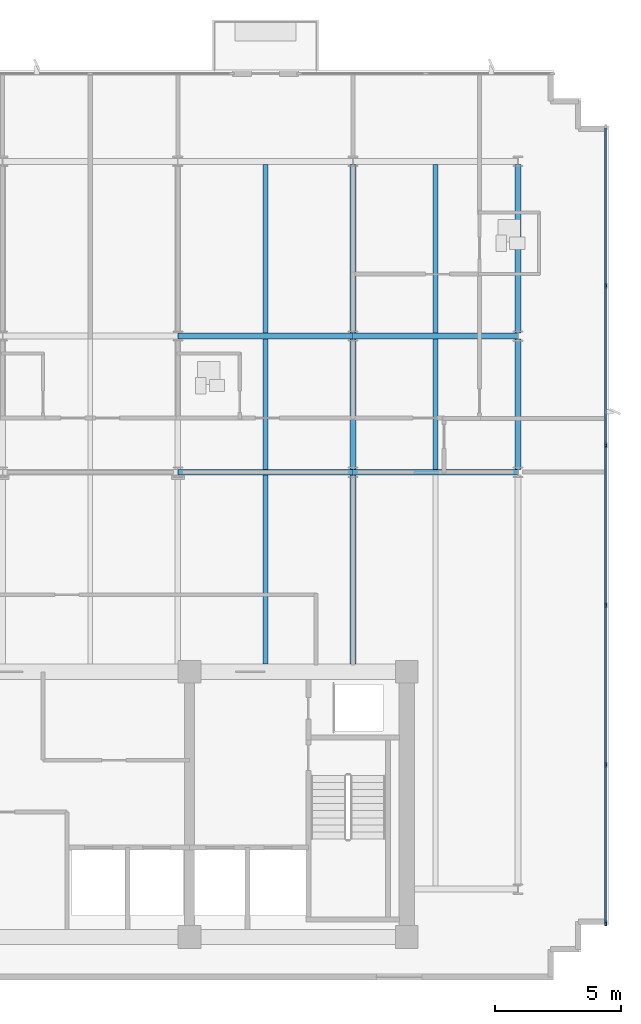
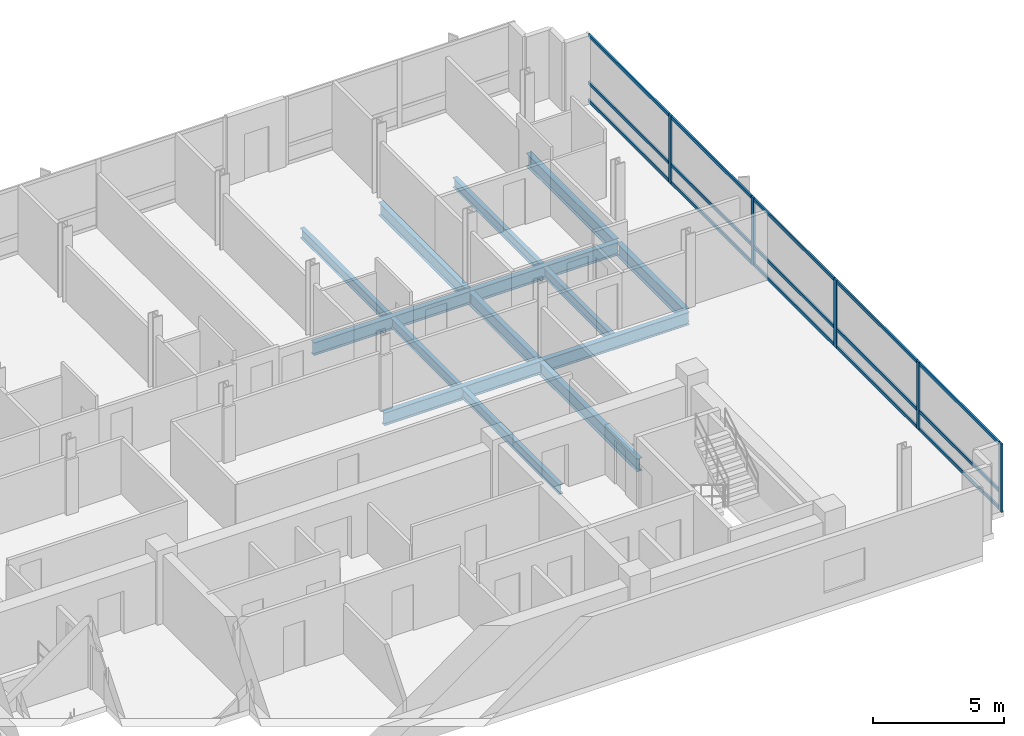
# One storey, part 4 of 14: 20 members, 14 beams, 1 element without a shape of its own.
"""IFC4 building model written with IfcOpenShell, lengths in metres."""

from ifc_helpers import new_model, si_unit, direction, frame, origin, origin_2d, place, context, subcontext, project, spatial, rectangle, i_section, extrude, material, material_profile, profile_set, type_object, element, aggregate, save


model = new_model("IFC4")

# Units and contexts
model_context = context("Model", 3, precision=1e-05, world=origin(), true_north=direction((0.0, 1.0)))
body_context = subcontext(model_context, "Body", "Model", "MODEL_VIEW")
ifc_project = project(units=[si_unit("LENGTHUNIT", "METRE"), si_unit("AREAUNIT", "SQUARE_METRE"), si_unit("VOLUMEUNIT", "CUBIC_METRE"), si_unit("PLANEANGLEUNIT", "RADIAN"), si_unit("MASSUNIT", "GRAM", prefix="KILO")], contexts=[model_context])

# Site, building, storey
site_placement = place(None, origin())
site = spatial("IfcSite", under=ifc_project, at=site_placement, CompositionType="ELEMENT")
building_placement = place(site_placement, origin())
building = spatial("IfcBuilding", under=site, at=building_placement, Name="Solmavex Isthmus Hotel", CompositionType="ELEMENT")
storey_placement = place(building_placement, frame((0.0, 0.0, 252.300048828125)))
storey = spatial("IfcBuildingStorey", under=building, at=storey_placement, Name="L68", CompositionType="ELEMENT", Elevation=252.300048828125)

# Beams
ifc_material_1 = material(Name="Steel ASTM A992 Grade 50", Category="steel")
ifc_material_profile_1 = material_profile(ifc_material_1, i_section(OverallWidth=0.1904296875, OverallDepth=0.456787109375, WebThickness=0.009033203125, FlangeThickness=0.014404296875, FilletRadius=0.0126953125, at=origin_2d()), Name="W18X50")
ifc_profile_set_1 = profile_set([ifc_material_profile_1], Name="Steel ASTM A992 Grade 50")
beam_type_1 = type_object("IfcBeamType", Name="BM-BJ-W18X50", PredefinedType="JOIST", material=ifc_profile_set_1)
beam_1_placement = place(storey_placement, frame((10.404052734375, -2.199951171875, -0.488525390625), z_axis=(0.0, 1.0, 0.0), x_axis=(-1.0, 0.0, 0.0)))
element("IfcBeam", 1, at=beam_1_placement, inside=storey, type_object=beam_type_1, Name="Secondary Floor Joist L68-J13", PredefinedType="JOIST", context=body_context, shape_type="SweptSolid", body=[
    extrude(i_section(OverallWidth=0.1904296875, OverallDepth=0.456787109375, WebThickness=0.009033203125, FlangeThickness=0.014404296875, FilletRadius=0.0126953125, at=origin_2d()), origin(), (0.0, 0.0, 1.0), 7.486083984375),
])
beam_2_placement = place(storey_placement, frame((10.404052734375, 5.513916015625, -0.488525390625), z_axis=(0.0, 1.0, 0.0), x_axis=(-1.0, 0.0, 0.0)))
element("IfcBeam", 2, at=beam_2_placement, inside=storey, type_object=beam_type_1, Name="Secondary Floor Joist L68-J14", PredefinedType="JOIST", context=body_context, shape_type="SweptSolid", body=[
    extrude(i_section(OverallWidth=0.1904296875, OverallDepth=0.456787109375, WebThickness=0.009033203125, FlangeThickness=0.014404296875, FilletRadius=0.0126953125, at=origin_2d()), origin(), (0.0, 0.0, 1.0), 5.16015625),
])
beam_3_placement = place(storey_placement, frame((10.404052734375, 10.90185546875, -0.488525390625), z_axis=(0.0, 1.0, 0.0), x_axis=(-1.0, 0.0, 0.0)))
element("IfcBeam", 3, at=beam_3_placement, inside=storey, type_object=beam_type_1, Name="Secondary Floor Joist L68-J15", PredefinedType="JOIST", context=body_context, shape_type="SweptSolid", body=[
    extrude(i_section(OverallWidth=0.1904296875, OverallDepth=0.456787109375, WebThickness=0.009033203125, FlangeThickness=0.014404296875, FilletRadius=0.0126953125, at=origin_2d()), origin(), (0.0, 0.0, 1.0), 6.682861328125),
])
beam_4_placement = place(storey_placement, frame((17.135986328125, 5.513916015625, -0.488525390625), z_axis=(0.0, 1.0, 0.0), x_axis=(-1.0, 0.0, 0.0)))
element("IfcBeam", 4, at=beam_4_placement, inside=storey, type_object=beam_type_1, Name="Secondary Floor Joist L68-J17", PredefinedType="JOIST", context=body_context, shape_type="SweptSolid", body=[
    extrude(i_section(OverallWidth=0.1904296875, OverallDepth=0.456787109375, WebThickness=0.009033203125, FlangeThickness=0.014404296875, FilletRadius=0.0126953125, at=origin_2d()), origin(), (0.0, 0.0, 1.0), 5.16015625),
])
beam_5_placement = place(storey_placement, frame((17.135986328125, 10.90185546875, -0.488525390625), z_axis=(0.0, 1.0, 0.0), x_axis=(-1.0, 0.0, 0.0)))
element("IfcBeam", 5, at=beam_5_placement, inside=storey, type_object=beam_type_1, Name="Secondary Floor Joist L68-J18", PredefinedType="JOIST", context=body_context, shape_type="SweptSolid", body=[
    extrude(i_section(OverallWidth=0.1904296875, OverallDepth=0.456787109375, WebThickness=0.009033203125, FlangeThickness=0.014404296875, FilletRadius=0.0126953125, at=origin_2d()), origin(), (0.0, 0.0, 1.0), 6.682861328125),
])
ifc_material_profile_2 = material_profile(ifc_material_1, i_section(OverallWidth=0.227783203125, OverallDepth=0.602783203125, WebThickness=0.010498046875, FlangeThickness=0.014892578125, FilletRadius=0.01513671875, at=origin_2d()), Name="W24X68")
ifc_profile_set_2 = profile_set([ifc_material_profile_2], Name="Steel ASTM A992 Grade 50")
beam_type_2 = type_object("IfcBeamType", Name="BM-BM-W24X68", PredefinedType="BEAM", material=ifc_profile_set_2)
beam_6_placement = place(storey_placement, frame((6.93603515625, 5.39990234375, -0.561279296875), z_axis=(1.0, 0.0, 0.0), x_axis=(0.0, 1.0, 0.0)))
element("IfcBeam", 6, at=beam_6_placement, inside=storey, type_object=beam_type_2, Name="Floor Girder L68-UG07", PredefinedType="BEAM", context=body_context, shape_type="SweptSolid", body=[
    extrude(i_section(OverallWidth=0.227783203125, OverallDepth=0.602783203125, WebThickness=0.010498046875, FlangeThickness=0.014892578125, FilletRadius=0.01513671875, at=origin_2d()), origin(), (0.0, 0.0, 1.0), 6.93603515625),
])
beam_7_placement = place(storey_placement, frame((13.8720703125, 5.39990234375, -0.561279296875), z_axis=(1.0, 0.0, 0.0), x_axis=(0.0, 1.0, 0.0)))
element("IfcBeam", 7, at=beam_7_placement, inside=storey, type_object=beam_type_2, Name="Floor Girder L68-UG08", PredefinedType="BEAM", context=body_context, shape_type="SweptSolid", body=[
    extrude(i_section(OverallWidth=0.227783203125, OverallDepth=0.602783203125, WebThickness=0.010498046875, FlangeThickness=0.014892578125, FilletRadius=0.01513671875, at=origin_2d()), origin(), (0.0, 0.0, 1.0), 6.52783203125),
])
beam_8_placement = place(storey_placement, frame((6.93603515625, 10.7880859375, -0.561279296875), z_axis=(1.0, 0.0, 0.0), x_axis=(0.0, 1.0, 0.0)))
element("IfcBeam", 8, at=beam_8_placement, inside=storey, type_object=beam_type_2, Name="Floor Girder L68-UG13", PredefinedType="BEAM", context=body_context, shape_type="SweptSolid", body=[
    extrude(i_section(OverallWidth=0.227783203125, OverallDepth=0.602783203125, WebThickness=0.010498046875, FlangeThickness=0.014892578125, FilletRadius=0.01513671875, at=origin_2d()), origin(), (0.0, 0.0, 1.0), 6.93603515625),
])
beam_9_placement = place(storey_placement, frame((13.8720703125, 10.7880859375, -0.561279296875), z_axis=(1.0, 0.0, 0.0), x_axis=(0.0, 1.0, 0.0)))
element("IfcBeam", 9, at=beam_9_placement, inside=storey, type_object=beam_type_2, Name="Floor Girder L68-UG14", PredefinedType="BEAM", context=body_context, shape_type="SweptSolid", body=[
    extrude(i_section(OverallWidth=0.227783203125, OverallDepth=0.602783203125, WebThickness=0.010498046875, FlangeThickness=0.014892578125, FilletRadius=0.01513671875, at=origin_2d()), origin(), (0.0, 0.0, 1.0), 6.52783203125),
])
beam_10_placement = place(storey_placement, frame((13.8720703125, -2.199951171875, -0.561279296875), z_axis=(0.0, 1.0, 0.0), x_axis=(-1.0, 0.0, 0.0)))
element("IfcBeam", 10, at=beam_10_placement, inside=storey, type_object=beam_type_2, Name="Floor Beam L68-VG36", PredefinedType="BEAM", context=body_context, shape_type="SweptSolid", body=[
    extrude(i_section(OverallWidth=0.227783203125, OverallDepth=0.602783203125, WebThickness=0.010498046875, FlangeThickness=0.014892578125, FilletRadius=0.01513671875, at=origin_2d()), origin(), (0.0, 0.0, 1.0), 7.486083984375),
])
beam_11_placement = place(storey_placement, frame((13.8720703125, 5.513916015625, -0.561279296875), z_axis=(0.0, 1.0, 0.0), x_axis=(-1.0, 0.0, 0.0)))
element("IfcBeam", 11, at=beam_11_placement, inside=storey, type_object=beam_type_2, Name="Floor Beam L68-VG37", PredefinedType="BEAM", context=body_context, shape_type="SweptSolid", body=[
    extrude(i_section(OverallWidth=0.227783203125, OverallDepth=0.602783203125, WebThickness=0.010498046875, FlangeThickness=0.014892578125, FilletRadius=0.01513671875, at=origin_2d()), origin(), (0.0, 0.0, 1.0), 5.16015625),
])
beam_12_placement = place(storey_placement, frame((13.8720703125, 10.90185546875, -0.561279296875), z_axis=(0.0, 1.0, 0.0), x_axis=(-1.0, 0.0, 0.0)))
element("IfcBeam", 12, at=beam_12_placement, inside=storey, type_object=beam_type_2, Name="Floor Beam L68-VG38", PredefinedType="BEAM", context=body_context, shape_type="SweptSolid", body=[
    extrude(i_section(OverallWidth=0.227783203125, OverallDepth=0.602783203125, WebThickness=0.010498046875, FlangeThickness=0.014892578125, FilletRadius=0.01513671875, at=origin_2d()), origin(), (0.0, 0.0, 1.0), 6.682861328125),
])
ifc_material_profile_3 = material_profile(ifc_material_1, i_section(OverallWidth=0.230224609375, OverallDepth=0.617431640625, WebThickness=0.01318359375, FlangeThickness=0.022216796875, FilletRadius=0.01513671875, at=origin_2d()), Name="W24X94")
ifc_profile_set_3 = profile_set([ifc_material_profile_3], Name="Steel ASTM A992 Grade 50")
beam_type_3 = type_object("IfcBeamType", Name="BM-SP-W24X94", PredefinedType="SPANDREL", material=ifc_profile_set_3)
beam_13_placement = place(storey_placement, frame((20.39990234375, 5.513916015625, -0.56884765625), z_axis=(0.0, 1.0, 0.0), x_axis=(-1.0, 0.0, 0.0)))
element("IfcBeam", 13, at=beam_13_placement, inside=storey, type_object=beam_type_3, Name="Floor Beam L68-VG40", PredefinedType="SPANDREL", context=body_context, shape_type="SweptSolid", body=[
    extrude(i_section(OverallWidth=0.230224609375, OverallDepth=0.617431640625, WebThickness=0.01318359375, FlangeThickness=0.022216796875, FilletRadius=0.01513671875, at=origin_2d()), origin(), (0.0, 0.0, 1.0), 5.16015625),
])
beam_14_placement = place(storey_placement, frame((20.39990234375, 10.90185546875, -0.56884765625), z_axis=(0.0, 1.0, 0.0), x_axis=(-1.0, 0.0, 0.0)))
element("IfcBeam", 14, at=beam_14_placement, inside=storey, type_object=beam_type_3, Name="Floor Beam L68-VG41", PredefinedType="SPANDREL", context=body_context, shape_type="SweptSolid", body=[
    extrude(i_section(OverallWidth=0.230224609375, OverallDepth=0.617431640625, WebThickness=0.01318359375, FlangeThickness=0.022216796875, FilletRadius=0.01513671875, at=origin_2d()), origin(), (0.0, 0.0, 1.0), 6.682861328125),
])

# Curtain wall, members
ifc_material_2 = material(Name="Aluminium alloy 6063-T6", Category="aluminium")
curtain_wall_type = type_object("IfcCurtainWallType", Name="CW-SYS-04", PredefinedType="NOTDEFINED", material=ifc_material_2)
curtain_wall_placement = place(storey_placement, origin())
curtain_wall = element("IfcCurtainWall", 15, at=curtain_wall_placement, inside=storey, type_object=curtain_wall_type, Name="Stick Curtain Wall CWL-L68-E1", PredefinedType="NOTDEFINED")
ifc_material_profile_4 = material_profile(ifc_material_2, rectangle(XDim=0.074951171875, YDim=0.199951171875, at=origin_2d()), Name="CWM-75X200")
ifc_profile_set_4 = profile_set([ifc_material_profile_4], Name="Aluminium alloy 6063-T6")
member_type_1 = type_object("IfcMemberType", Name="CW-SYS-04-MUL", PredefinedType="MULLION", material=ifc_profile_set_4)
member_1_placement = place(storey_placement, frame((23.8798828125, -12.46240234375, 0.0), z_axis=(0.0, 0.0, 1.0), x_axis=(-1.0, 0.0, 0.0)))
member_1 = element("IfcMember", 16, at=member_1_placement, type_object=member_type_1, Name="CW-04 mullion 1", PredefinedType="MULLION", context=body_context, shape_type="SweptSolid", body=[
    extrude(rectangle(XDim=0.074951171875, YDim=0.199951171875, at=origin_2d()), origin(), (0.0, 0.0, 1.0), 3.18994140625),
])
member_2_placement = place(storey_placement, frame((23.8798828125, -6.179931640625, 0.0), z_axis=(0.0, 0.0, 1.0), x_axis=(-1.0, 0.0, 0.0)))
member_2 = element("IfcMember", 17, at=member_2_placement, type_object=member_type_1, Name="CW-04 mullion 2", PredefinedType="MULLION", context=body_context, shape_type="SweptSolid", body=[
    extrude(rectangle(XDim=0.074951171875, YDim=0.199951171875, at=origin_2d()), origin(), (0.0, 0.0, 1.0), 3.18994140625),
])
member_3_placement = place(storey_placement, frame((23.8798828125, 0.139892578125, 0.0), z_axis=(0.0, 0.0, 1.0), x_axis=(-1.0, 0.0, 0.0)))
member_3 = element("IfcMember", 18, at=member_3_placement, type_object=member_type_1, Name="CW-04 mullion 3", PredefinedType="MULLION", context=body_context, shape_type="SweptSolid", body=[
    extrude(rectangle(XDim=0.074951171875, YDim=0.199951171875, at=origin_2d()), origin(), (0.0, 0.0, 1.0), 3.18994140625),
])
member_4_placement = place(storey_placement, frame((23.8798828125, 6.4599609375, 0.0), z_axis=(0.0, 0.0, 1.0), x_axis=(-1.0, 0.0, 0.0)))
member_4 = element("IfcMember", 19, at=member_4_placement, type_object=member_type_1, Name="CW-04 mullion 4", PredefinedType="MULLION", context=body_context, shape_type="SweptSolid", body=[
    extrude(rectangle(XDim=0.074951171875, YDim=0.199951171875, at=origin_2d()), origin(), (0.0, 0.0, 1.0), 3.18994140625),
])
member_5_placement = place(storey_placement, frame((23.8798828125, 12.780029296875, 0.0), z_axis=(0.0, 0.0, 1.0), x_axis=(-1.0, 0.0, 0.0)))
member_5 = element("IfcMember", 20, at=member_5_placement, type_object=member_type_1, Name="CW-04 mullion 5", PredefinedType="MULLION", context=body_context, shape_type="SweptSolid", body=[
    extrude(rectangle(XDim=0.074951171875, YDim=0.199951171875, at=origin_2d()), origin(), (0.0, 0.0, 1.0), 3.18994140625),
])
ifc_material_profile_5 = material_profile(ifc_material_2, rectangle(XDim=0.074951171875, YDim=0.14990234375, at=origin_2d()), Name="CWT-75X150")
ifc_profile_set_5 = profile_set([ifc_material_profile_5], Name="Aluminium alloy 6063-T6")
member_type_2 = type_object("IfcMemberType", Name="CW-SYS-04-TRN", PredefinedType="USERDEFINED", material=ifc_profile_set_5)
member_6_placement = place(storey_placement, frame((23.8798828125, -12.425048828125, 0.074951171875), z_axis=(0.0, 1.0, 0.0), x_axis=(-1.0, 0.0, 0.0)))
member_6 = element("IfcMember", 21, at=member_6_placement, type_object=member_type_2, Name="CW-04 transom 1.1", ObjectType="TRANSOM", PredefinedType="USERDEFINED", context=body_context, shape_type="SweptSolid", body=[
    extrude(rectangle(XDim=0.074951171875, YDim=0.14990234375, at=origin_2d()), origin(), (0.0, 0.0, 1.0), 6.20751953125),
])
member_7_placement = place(storey_placement, frame((23.8798828125, -12.425048828125, 0.89990234375), z_axis=(0.0, 1.0, 0.0), x_axis=(-1.0, 0.0, 0.0)))
member_7 = element("IfcMember", 22, at=member_7_placement, type_object=member_type_2, Name="CW-04 transom 1.2", ObjectType="TRANSOM", PredefinedType="USERDEFINED", context=body_context, shape_type="SweptSolid", body=[
    extrude(rectangle(XDim=0.074951171875, YDim=0.14990234375, at=origin_2d()), origin(), (0.0, 0.0, 1.0), 6.20751953125),
])
member_8_placement = place(storey_placement, frame((23.8798828125, -12.425048828125, 3.114990234375), z_axis=(0.0, 1.0, 0.0), x_axis=(-1.0, 0.0, 0.0)))
member_8 = element("IfcMember", 23, at=member_8_placement, type_object=member_type_2, Name="CW-04 transom 1.3", ObjectType="TRANSOM", PredefinedType="USERDEFINED", context=body_context, shape_type="SweptSolid", body=[
    extrude(rectangle(XDim=0.074951171875, YDim=0.14990234375, at=origin_2d()), origin(), (0.0, 0.0, 1.0), 6.20751953125),
])
member_9_placement = place(storey_placement, frame((23.8798828125, -6.142578125, 0.074951171875), z_axis=(0.0, 1.0, 0.0), x_axis=(-1.0, 0.0, 0.0)))
member_9 = element("IfcMember", 24, at=member_9_placement, type_object=member_type_2, Name="CW-04 transom 2.1", ObjectType="TRANSOM", PredefinedType="USERDEFINED", context=body_context, shape_type="SweptSolid", body=[
    extrude(rectangle(XDim=0.074951171875, YDim=0.14990234375, at=origin_2d()), origin(), (0.0, 0.0, 1.0), 6.2451171875),
])
member_10_placement = place(storey_placement, frame((23.8798828125, -6.142578125, 0.89990234375), z_axis=(0.0, 1.0, 0.0), x_axis=(-1.0, 0.0, 0.0)))
member_10 = element("IfcMember", 25, at=member_10_placement, type_object=member_type_2, Name="CW-04 transom 2.2", ObjectType="TRANSOM", PredefinedType="USERDEFINED", context=body_context, shape_type="SweptSolid", body=[
    extrude(rectangle(XDim=0.074951171875, YDim=0.14990234375, at=origin_2d()), origin(), (0.0, 0.0, 1.0), 6.2451171875),
])
member_11_placement = place(storey_placement, frame((23.8798828125, -6.142578125, 3.114990234375), z_axis=(0.0, 1.0, 0.0), x_axis=(-1.0, 0.0, 0.0)))
member_11 = element("IfcMember", 26, at=member_11_placement, type_object=member_type_2, Name="CW-04 transom 2.3", ObjectType="TRANSOM", PredefinedType="USERDEFINED", context=body_context, shape_type="SweptSolid", body=[
    extrude(rectangle(XDim=0.074951171875, YDim=0.14990234375, at=origin_2d()), origin(), (0.0, 0.0, 1.0), 6.2451171875),
])
member_12_placement = place(storey_placement, frame((23.8798828125, 0.177490234375, 0.074951171875), z_axis=(0.0, 1.0, 0.0), x_axis=(-1.0, 0.0, 0.0)))
member_12 = element("IfcMember", 27, at=member_12_placement, type_object=member_type_2, Name="CW-04 transom 3.1", ObjectType="TRANSOM", PredefinedType="USERDEFINED", context=body_context, shape_type="SweptSolid", body=[
    extrude(rectangle(XDim=0.074951171875, YDim=0.14990234375, at=origin_2d()), origin(), (0.0, 0.0, 1.0), 6.2451171875),
])
member_13_placement = place(storey_placement, frame((23.8798828125, 0.177490234375, 0.89990234375), z_axis=(0.0, 1.0, 0.0), x_axis=(-1.0, 0.0, 0.0)))
member_13 = element("IfcMember", 28, at=member_13_placement, type_object=member_type_2, Name="CW-04 transom 3.2", ObjectType="TRANSOM", PredefinedType="USERDEFINED", context=body_context, shape_type="SweptSolid", body=[
    extrude(rectangle(XDim=0.074951171875, YDim=0.14990234375, at=origin_2d()), origin(), (0.0, 0.0, 1.0), 6.2451171875),
])
member_14_placement = place(storey_placement, frame((23.8798828125, 0.177490234375, 3.114990234375), z_axis=(0.0, 1.0, 0.0), x_axis=(-1.0, 0.0, 0.0)))
member_14 = element("IfcMember", 29, at=member_14_placement, type_object=member_type_2, Name="CW-04 transom 3.3", ObjectType="TRANSOM", PredefinedType="USERDEFINED", context=body_context, shape_type="SweptSolid", body=[
    extrude(rectangle(XDim=0.074951171875, YDim=0.14990234375, at=origin_2d()), origin(), (0.0, 0.0, 1.0), 6.2451171875),
])
member_15_placement = place(storey_placement, frame((23.8798828125, 6.49755859375, 0.074951171875), z_axis=(0.0, 1.0, 0.0), x_axis=(-1.0, 0.0, 0.0)))
member_15 = element("IfcMember", 30, at=member_15_placement, type_object=member_type_2, Name="CW-04 transom 4.1", ObjectType="TRANSOM", PredefinedType="USERDEFINED", context=body_context, shape_type="SweptSolid", body=[
    extrude(rectangle(XDim=0.074951171875, YDim=0.14990234375, at=origin_2d()), origin(), (0.0, 0.0, 1.0), 6.244873046875),
])
member_16_placement = place(storey_placement, frame((23.8798828125, 6.49755859375, 0.89990234375), z_axis=(0.0, 1.0, 0.0), x_axis=(-1.0, 0.0, 0.0)))
member_16 = element("IfcMember", 31, at=member_16_placement, type_object=member_type_2, Name="CW-04 transom 4.2", ObjectType="TRANSOM", PredefinedType="USERDEFINED", context=body_context, shape_type="SweptSolid", body=[
    extrude(rectangle(XDim=0.074951171875, YDim=0.14990234375, at=origin_2d()), origin(), (0.0, 0.0, 1.0), 6.244873046875),
])
member_17_placement = place(storey_placement, frame((23.8798828125, 6.49755859375, 3.114990234375), z_axis=(0.0, 1.0, 0.0), x_axis=(-1.0, 0.0, 0.0)))
member_17 = element("IfcMember", 32, at=member_17_placement, type_object=member_type_2, Name="CW-04 transom 4.3", ObjectType="TRANSOM", PredefinedType="USERDEFINED", context=body_context, shape_type="SweptSolid", body=[
    extrude(rectangle(XDim=0.074951171875, YDim=0.14990234375, at=origin_2d()), origin(), (0.0, 0.0, 1.0), 6.244873046875),
])
member_18_placement = place(storey_placement, frame((23.8798828125, 12.8173828125, 0.074951171875), z_axis=(0.0, 1.0, 0.0), x_axis=(-1.0, 0.0, 0.0)))
member_18 = element("IfcMember", 33, at=member_18_placement, type_object=member_type_2, Name="CW-04 transom 5.1", ObjectType="TRANSOM", PredefinedType="USERDEFINED", context=body_context, shape_type="SweptSolid", body=[
    extrude(rectangle(XDim=0.074951171875, YDim=0.14990234375, at=origin_2d()), origin(), (0.0, 0.0, 1.0), 6.20751953125),
])
member_19_placement = place(storey_placement, frame((23.8798828125, 12.8173828125, 0.89990234375), z_axis=(0.0, 1.0, 0.0), x_axis=(-1.0, 0.0, 0.0)))
member_19 = element("IfcMember", 34, at=member_19_placement, type_object=member_type_2, Name="CW-04 transom 5.2", ObjectType="TRANSOM", PredefinedType="USERDEFINED", context=body_context, shape_type="SweptSolid", body=[
    extrude(rectangle(XDim=0.074951171875, YDim=0.14990234375, at=origin_2d()), origin(), (0.0, 0.0, 1.0), 6.20751953125),
])
member_20_placement = place(storey_placement, frame((23.8798828125, 12.8173828125, 3.114990234375), z_axis=(0.0, 1.0, 0.0), x_axis=(-1.0, 0.0, 0.0)))
member_20 = element("IfcMember", 35, at=member_20_placement, type_object=member_type_2, Name="CW-04 transom 5.3", ObjectType="TRANSOM", PredefinedType="USERDEFINED", context=body_context, shape_type="SweptSolid", body=[
    extrude(rectangle(XDim=0.074951171875, YDim=0.14990234375, at=origin_2d()), origin(), (0.0, 0.0, 1.0), 6.20751953125),
])
aggregate(curtain_wall, [member_1, member_2, member_3, member_4, member_5, member_6, member_7, member_8, member_9, member_10, member_11, member_12, member_13, member_14, member_15, member_16, member_17, member_18, member_19, member_20])

save(model, "model.ifc")
